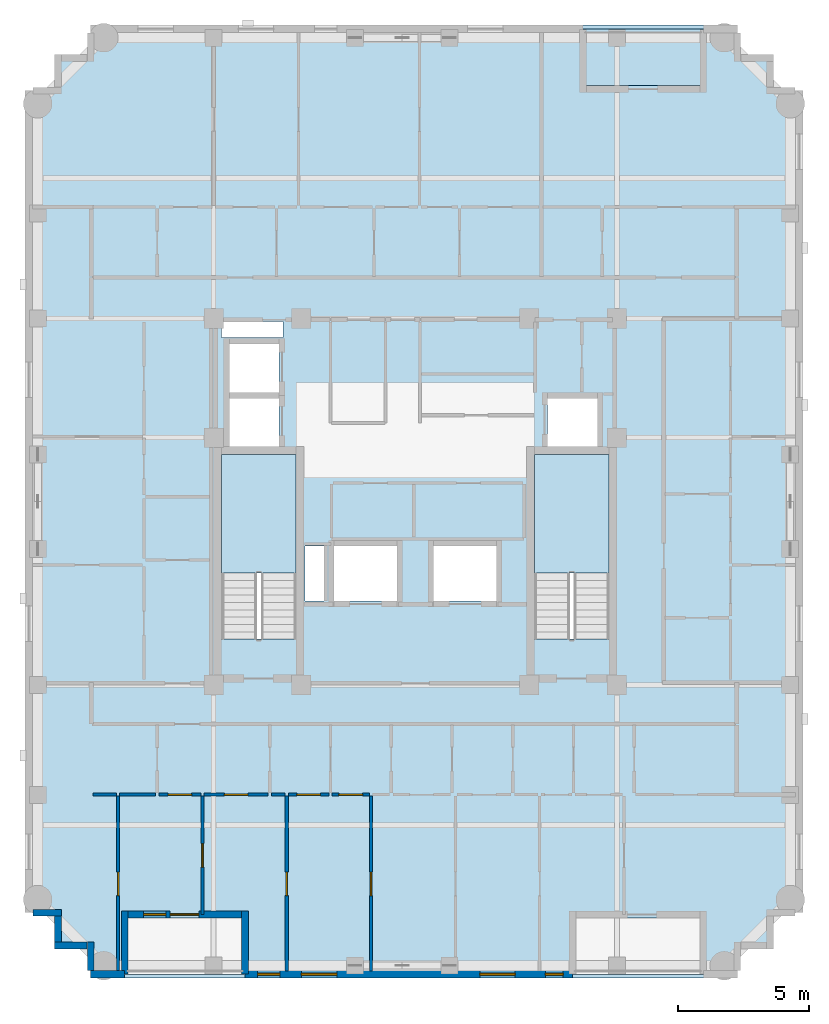
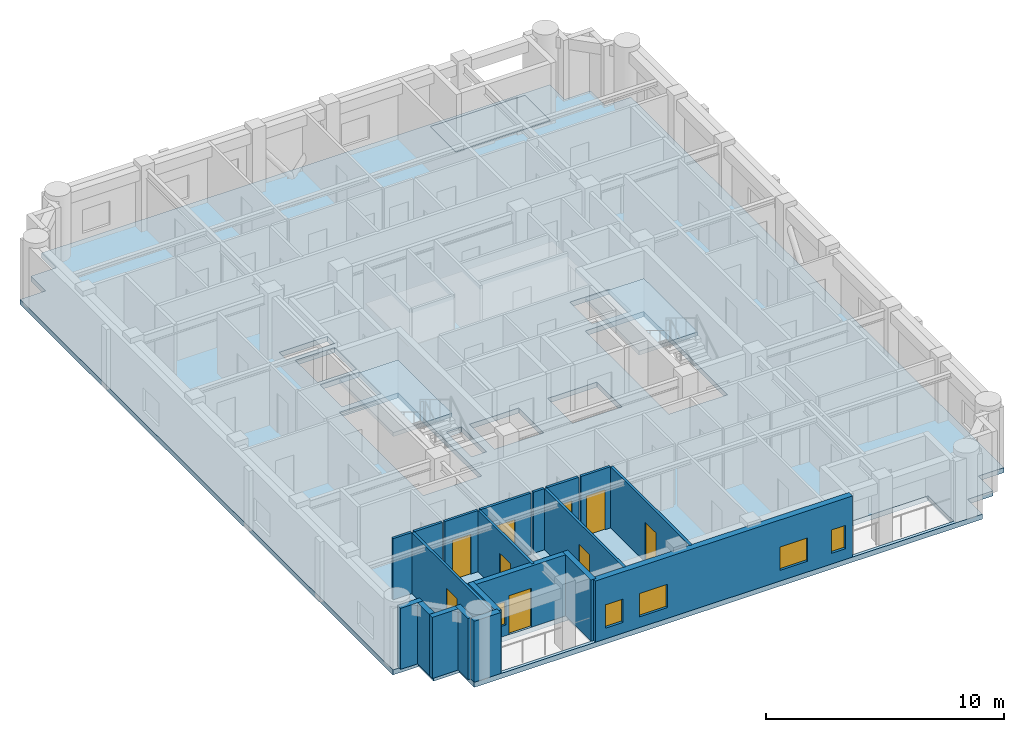
# One storey, part 2 of 11: 20 walls, 9 doors, 5 windows, 4 slabs, 14 openings, 2 elements without a shape of their own.
"""IFC4 building model written with IfcOpenShell, lengths in metres."""

from ifc_helpers import new_model, si_unit, derived_unit, direction, frame, frame_2d, origin, place, context, subcontext, project, spatial, polyline, rectangle, outline, extrude, material, layer, layer_set, type_object, element, fill, aggregate, save


model = new_model("IFC4")

# Units and contexts
model_context = context("Model", 3, precision=1e-05, world=origin(), true_north=direction((0.0, 1.0)))
body_context = subcontext(model_context, "Body", "Model", "MODEL_VIEW")
ifc_project = project(units=[si_unit("LENGTHUNIT", "METRE"), si_unit("AREAUNIT", "SQUARE_METRE"), si_unit("VOLUMEUNIT", "CUBIC_METRE"), si_unit("PLANEANGLEUNIT", "RADIAN"), si_unit("MASSUNIT", "GRAM", prefix="KILO"), derived_unit("THERMALTRANSMITTANCEUNIT", [(si_unit("MASSUNIT", "GRAM", prefix="KILO"), 1), (si_unit("TIMEUNIT", "SECOND"), -3), (si_unit("THERMODYNAMICTEMPERATUREUNIT", "KELVIN"), -1)])], contexts=[model_context])

# Site, building, storey
site_placement = place(None, origin())
site = spatial("IfcSite", under=ifc_project, at=site_placement, CompositionType="ELEMENT")
building_placement = place(site_placement, origin())
building = spatial("IfcBuilding", under=site, at=building_placement, Name="Korrvale Station Residences", CompositionType="ELEMENT")
storey_placement = place(building_placement, frame((0.0, 0.0, 230.89990234375)))
storey = spatial("IfcBuildingStorey", under=building, at=storey_placement, Name="L67", CompositionType="ELEMENT", Elevation=230.89990234375)

# Slabs
ifc_material_1 = material(Name="Concrete C50/60", Category="concrete")
ifc_layer_1 = layer(ifc_material_1, 0.219970703125, Name="Concrete C50/60")
ifc_layer_set_1 = layer_set([ifc_layer_1], Name="Concrete C50/60")
slab_type_1 = type_object("IfcSlabType", Name="SLB-BAL-220", PredefinedType="FLOOR", material=ifc_layer_set_1)
slab_1_placement = place(storey_placement, frame((0.0, 0.0, -0.219970703125)))
element("IfcSlab", 1, at=slab_1_placement, inside=storey, type_object=slab_type_1, Name="L67 Recessed Loggia Balcony Slab BAL-L67-N1", PredefinedType="FLOOR", context=body_context, shape_type="SweptSolid", body=[
    extrude(outline(polyline([(31.89990234375, 37.89990234375), (36.5, 37.89990234375), (36.5, 40.050048828125), (31.89990234375, 40.050048828125), (31.89990234375, 37.89990234375)])), origin(), (0.0, 0.0, 1.0), 0.219970703125),
])
ifc_layer_2 = layer(ifc_material_1, 0.260009765625, Name="Concrete C50/60")
ifc_layer_set_2 = layer_set([ifc_layer_2], Name="Concrete C50/60")
slab_type_2 = type_object("IfcSlabType", Name="SLB-FLR-260", PredefinedType="FLOOR", material=ifc_layer_set_2)
slab_2_placement = place(storey_placement, frame((0.0, 0.0, -0.260009765625)))
element("IfcSlab", 2, at=slab_2_placement, inside=storey, type_object=slab_type_2, Name="L67 Suspended Structural Floor Slab", PredefinedType="FLOOR", context=body_context, shape_type="SweptSolid", body=[
    extrude(outline(polyline([(13.10009765625, 3.800048828125), (37.800048828125, 3.800048828125), (37.800048828125, 5.050048828125), (39.050048828125, 5.050048828125), (39.050048828125, 6.300048828125), (40.300048828125, 6.300048828125), (40.300048828125, 37.699951171875), (39.050048828125, 37.699951171875), (39.050048828125, 38.949951171875), (37.800048828125, 38.949951171875), (37.800048828125, 40.199951171875), (13.10009765625, 40.199951171875), (13.10009765625, 38.949951171875), (11.85009765625, 38.949951171875), (11.85009765625, 37.699951171875), (10.60009765625, 37.699951171875), (10.60009765625, 6.300048828125), (11.85009765625, 6.300048828125), (11.85009765625, 5.050048828125), (13.10009765625, 5.050048828125), (13.10009765625, 3.800048828125)]), holes=[polyline([(20.949951171875, 16.751953125), (20.949951171875, 23.800048828125), (18.10009765625, 23.800048828125), (18.10009765625, 16.751953125), (20.949951171875, 16.751953125)]), polyline([(32.89990234375, 16.751953125), (32.89990234375, 23.800048828125), (30.050048828125, 23.800048828125), (30.050048828125, 16.751953125), (32.89990234375, 16.751953125)]), polyline([(18.39990234375, 24.10009765625), (20.300048828125, 24.10009765625), (20.300048828125, 25.949951171875), (18.39990234375, 25.949951171875), (18.39990234375, 24.10009765625)]), polyline([(18.39990234375, 26.169921875), (20.300048828125, 26.169921875), (20.300048828125, 28.02001953125), (18.39990234375, 28.02001953125), (18.39990234375, 26.169921875)]), polyline([(30.550048828125, 24.10009765625), (32.449951171875, 24.10009765625), (32.449951171875, 25.949951171875), (30.550048828125, 25.949951171875), (30.550048828125, 24.10009765625)]), polyline([(22.39990234375, 18.199951171875), (24.800048828125, 18.199951171875), (24.800048828125, 20.300048828125), (22.39990234375, 20.300048828125), (22.39990234375, 18.199951171875)]), polyline([(26.199951171875, 18.199951171875), (28.60009765625, 18.199951171875), (28.60009765625, 20.300048828125), (26.199951171875, 20.300048828125), (26.199951171875, 18.199951171875)]), polyline([(18.10009765625, 28.280029296875), (20.449951171875, 28.280029296875), (20.449951171875, 28.8798828125), (18.10009765625, 28.8798828125), (18.10009765625, 28.280029296875)]), polyline([(21.280029296875, 18.199951171875), (22.02001953125, 18.199951171875), (22.02001953125, 20.300048828125), (21.280029296875, 20.300048828125), (21.280029296875, 18.199951171875)]), polyline([(14.39990234375, 3.949951171875), (19.0, 3.949951171875), (19.0, 6.10009765625), (14.39990234375, 6.10009765625), (14.39990234375, 3.949951171875)]), polyline([(31.89990234375, 37.89990234375), (36.5, 37.89990234375), (36.5, 40.050048828125), (31.89990234375, 40.050048828125), (31.89990234375, 37.89990234375)]), polyline([(31.5, 3.949951171875), (36.5, 3.949951171875), (36.5, 6.10009765625), (31.5, 6.10009765625), (31.5, 3.949951171875)])]), origin(), (0.0, 0.0, 1.0), 0.260009765625),
])

# Stair, slab
stair_type = type_object("IfcStairType", Name="STR-DL-1350-20R-1700", PredefinedType="HALF_TURN_STAIR", material=ifc_material_1)
stair_1_placement = place(storey_placement, origin())
stair_1 = element("IfcStair", 3, at=stair_1_placement, inside=storey, type_object=stair_type, Name="L67 Exit Stair 1", PredefinedType="HALF_TURN_STAIR")
ifc_layer_3 = layer(ifc_material_1, 0.199951171875, Name="Concrete C50/60")
ifc_layer_set_3 = layer_set([ifc_layer_3], Name="Concrete C50/60")
slab_type_3 = type_object("IfcSlabType", Name="SLB-LND-200", PredefinedType="LANDING", material=ifc_layer_set_3)
slab_3_placement = place(storey_placement, frame((0.0, 0.0, 1.5)))
slab_3 = element("IfcSlab", 4, at=slab_3_placement, type_object=slab_type_3, Name="ST-1 landing 1", PredefinedType="LANDING", context=body_context, shape_type="SweptSolid", body=[
    extrude(outline(polyline([(20.949951171875, 19.27001953125), (20.949951171875, 23.800048828125), (18.10009765625, 23.800048828125), (18.10009765625, 19.27001953125), (20.949951171875, 19.27001953125)])), origin(), (0.0, 0.0, 1.0), 0.2001953125),
])
aggregate(stair_1, [slab_3])

stair_2_placement = place(storey_placement, origin())
stair_2 = element("IfcStair", 5, at=stair_2_placement, inside=storey, type_object=stair_type, Name="L67 Exit Stair 2", PredefinedType="HALF_TURN_STAIR")
slab_4_placement = place(storey_placement, frame((0.0, 0.0, 1.5)))
slab_4 = element("IfcSlab", 6, at=slab_4_placement, type_object=slab_type_3, Name="ST-2 landing 1", PredefinedType="LANDING", context=body_context, shape_type="SweptSolid", body=[
    extrude(outline(polyline([(32.89990234375, 19.27001953125), (32.89990234375, 23.800048828125), (30.050048828125, 23.800048828125), (30.050048828125, 19.27001953125), (32.89990234375, 19.27001953125)])), origin(), (0.0, 0.0, 1.0), 0.2001953125),
])
aggregate(stair_2, [slab_4])

# Wall
ifc_material_2 = material(Name="Precast concrete C45/55", Category="concrete")
ifc_layer_4 = layer(ifc_material_2, 0.260009765625, Name="Precast concrete C45/55")
ifc_layer_set_4 = layer_set([ifc_layer_4], Name="Precast concrete C45/55")
wall_type_1 = type_object("IfcWallType", Name="WAL-EXT-LOG260", PredefinedType="SOLIDWALL", material=ifc_layer_set_4)
wall_1_placement = place(storey_placement, frame((19.0, 3.9599609375, 0.0), z_axis=(0.0, 0.0, 1.0), x_axis=(0.0, 1.0, 0.0)))
element("IfcWall", 7, at=wall_1_placement, inside=storey, type_object=wall_type_1, Name="L67 Recessed Loggia Wall BAL-L67-S1-L", PredefinedType="SOLIDWALL", context=body_context, shape_type="SweptSolid", body=[
    extrude(rectangle(XDim=2.400146484375, YDim=0.260009765625, at=frame_2d((1.2001953125, 0.0))), origin(), (0.0, 0.0, 1.0), 3.14013671875),
])

# Wall, openings, door, window
wall_2_placement = place(storey_placement, frame((18.865966796875, 6.22998046875, 0.0), z_axis=(0.0, 0.0, 1.0), x_axis=(-1.0, 0.0, 0.0)))
wall_2 = element("IfcWall", 8, at=wall_2_placement, inside=storey, type_object=wall_type_1, Name="L67 Recessed Loggia Wall BAL-L67-S1-B", PredefinedType="SOLIDWALL", context=body_context, shape_type="SweptSolid", body=[
    extrude(rectangle(XDim=4.33203125, YDim=0.260009765625, at=frame_2d((2.166015625, 0.0))), origin(), (0.0, 0.0, 1.0), 3.14013671875),
])
opening_1_placement = place(wall_2_placement, frame((1.635986328125, 0.0, 0.0)))
opening_1 = element("IfcOpeningElement", 9, at=opening_1_placement, cuts=wall_2, Name="Opening BD-01", PredefinedType="OPENING", context=body_context, shape_type="SweptSolid", body=[
    extrude(rectangle(XDim=1.10009765625, YDim=2.0, at=frame_2d((0.550048828125, 1.0))), frame((0.0, 0.14013671875, 0.0), z_axis=(0.0, -1.0, 0.0), x_axis=(1.0, 0.0, 0.0)), (0.0, 0.0, 1.0), 0.280029296875),
])
opening_2_placement = place(wall_2_placement, frame((2.89599609375, 0.0, 0.550048828125)))
opening_2 = element("IfcOpeningElement", 10, at=opening_2_placement, cuts=wall_2, Name="Opening W-11", PredefinedType="OPENING", context=body_context, shape_type="SweptSolid", body=[
    extrude(rectangle(XDim=0.85009765625, YDim=1.199951171875, at=frame_2d((0.425048828125, 0.60009765625))), frame((0.0, 0.14013671875, 0.0), z_axis=(0.0, -1.0, 0.0), x_axis=(1.0, 0.0, 0.0)), (0.0, 0.0, 1.0), 0.280029296875),
])
ifc_material_3 = material(Name="Exterior thermally broken aluminium glazed balcony door", Category="aluminium")
door_type_1 = type_object("IfcDoorType", Name="DR-EXT-BAL", OperationType="NOTDEFINED", PredefinedType="DOOR", material=ifc_material_3)
door_1_placement = place(opening_1_placement, origin())
door_1 = element("IfcDoor", 11, at=door_1_placement, inside=storey, type_object=door_type_1, Name="L67 Loggia Balcony Door BAL-L67-S1", OperationType="SINGLE_SWING_RIGHT", OverallHeight=2.0, OverallWidth=1.10009765625, PredefinedType="DOOR", context=body_context, shape_type="SweptSolid", body=[
    extrude(rectangle(XDim=1.10009765625, YDim=2.0, at=frame_2d((0.550048828125, 1.0))), frame((0.0, 0.02490234375, 0.0), z_axis=(0.0, -1.0, 0.0), x_axis=(1.0, 0.0, 0.0)), (0.0, 0.0, 1.0), 0.050048828125),
])
fill(opening_1, door_1)
ifc_material_4 = material(Name="Thermally broken aluminium frame with triple low-e glazing", Category="aluminium")
window_type_1 = type_object("IfcWindowType", Name="WIN-W11", PartitioningType="SINGLE_PANEL", PredefinedType="WINDOW", material=ifc_material_4)
window_1_placement = place(opening_2_placement, origin())
window_1 = element("IfcWindow", 12, at=window_1_placement, inside=storey, type_object=window_type_1, Name="L67 Punched Window 02", OverallHeight=1.199951171875, OverallWidth=0.85009765625, PartitioningType="SINGLE_PANEL", PredefinedType="WINDOW", context=body_context, shape_type="SweptSolid", body=[
    extrude(rectangle(XDim=0.85009765625, YDim=1.199951171875, at=frame_2d((0.425048828125, 0.60009765625))), frame((0.0, 0.030029296875, 0.0), z_axis=(0.0, -1.0, 0.0), x_axis=(1.0, 0.0, 0.0)), (0.0, 0.0, 1.0), 0.06005859375),
])
fill(opening_2, window_1)

# Walls
wall_3_placement = place(storey_placement, frame((14.39990234375, 6.360107421875, 0.0), z_axis=(0.0, 0.0, 1.0), x_axis=(0.0, -1.0, 0.0)))
element("IfcWall", 13, at=wall_3_placement, inside=storey, type_object=wall_type_1, Name="L67 Recessed Loggia Wall BAL-L67-S1-R", PredefinedType="SOLIDWALL", context=body_context, shape_type="SweptSolid", body=[
    extrude(rectangle(XDim=2.400146484375, YDim=0.260009765625, at=frame_2d((1.2001953125, 0.0))), origin(), (0.0, 0.0, 1.0), 3.14013671875),
])
wall_4_placement = place(storey_placement, frame((13.10009765625, 4.10205078125, 0.0), z_axis=(0.0, 0.0, 1.0), x_axis=(0.0, 1.0, 0.0)))
element("IfcWall", 14, at=wall_4_placement, inside=storey, type_object=wall_type_1, Name="L67 Serrated Corner Precast Step SW-1", PredefinedType="SOLIDWALL", context=body_context, shape_type="SweptSolid", body=[
    extrude(rectangle(XDim=1.077880859375, YDim=0.260009765625, at=frame_2d((0.5390625, 0.0))), origin(), (0.0, 0.0, 1.0), 3.14013671875),
])
wall_5_placement = place(storey_placement, frame((12.968017578125, 5.050048828125, 0.0), z_axis=(0.0, 0.0, 1.0), x_axis=(-1.0, 0.0, 0.0)))
element("IfcWall", 15, at=wall_5_placement, inside=storey, type_object=wall_type_1, Name="L67 Serrated Corner Precast Step SW-2", PredefinedType="SOLIDWALL", context=body_context, shape_type="SweptSolid", body=[
    extrude(rectangle(XDim=1.248046875, YDim=0.260009765625, at=frame_2d((0.6240234375, 0.0))), origin(), (0.0, 0.0, 1.0), 3.14013671875),
])
wall_6_placement = place(storey_placement, frame((11.85009765625, 5.181884765625, 0.0), z_axis=(0.0, 0.0, 1.0), x_axis=(0.0, 1.0, 0.0)))
element("IfcWall", 16, at=wall_6_placement, inside=storey, type_object=wall_type_1, Name="L67 Serrated Corner Precast Step SW-3", PredefinedType="SOLIDWALL", context=body_context, shape_type="SweptSolid", body=[
    extrude(rectangle(XDim=0.986083984375, YDim=0.260009765625, at=frame_2d((0.4931640625, 0.0))), origin(), (0.0, 0.0, 1.0), 3.14013671875),
])
wall_7_placement = place(storey_placement, frame((11.97998046875, 6.300048828125, 0.0), z_axis=(0.0, 0.0, 1.0), x_axis=(-1.0, 0.0, 0.0)))
element("IfcWall", 17, at=wall_7_placement, inside=storey, type_object=wall_type_1, Name="L67 Serrated Corner Precast Step SW-4", PredefinedType="SOLIDWALL", context=body_context, shape_type="SweptSolid", body=[
    extrude(rectangle(XDim=1.077880859375, YDim=0.260009765625, at=frame_2d((0.5390625, 0.0))), origin(), (0.0, 0.0, 1.0), 3.14013671875),
])

# Wall, openings, windows
ifc_layer_5 = layer(ifc_material_2, 0.300048828125, Name="Precast concrete C45/55")
ifc_layer_set_5 = layer_set([ifc_layer_5], Name="Precast concrete C45/55")
wall_type_2 = type_object("IfcWallType", Name="WAL-EXT-PC300", PredefinedType="SOLIDWALL", material=ifc_layer_set_5)
wall_8_placement = place(storey_placement, frame((31.5, 3.949951171875, 0.0), z_axis=(0.0, 0.0, 1.0), x_axis=(-1.0, 0.0, 0.0)))
wall_8 = element("IfcWall", 18, at=wall_8_placement, inside=storey, type_object=wall_type_2, Name="L67 South Exterior Precast Wall 2", PredefinedType="SOLIDWALL", context=body_context, shape_type="SweptSolid", body=[
    extrude(rectangle(XDim=12.5, YDim=0.300048828125, at=frame_2d((6.25, 0.0))), origin(), (0.0, 0.0, 1.0), 3.14013671875),
])
opening_3_placement = place(wall_8_placement, frame((11.1708984375, 0.0, 0.550048828125)))
opening_3 = element("IfcOpeningElement", 19, at=opening_3_placement, cuts=wall_8, Name="Opening W-11", PredefinedType="OPENING", context=body_context, shape_type="SweptSolid", body=[
    extrude(rectangle(XDim=0.85009765625, YDim=1.199951171875, at=frame_2d((0.425048828125, 0.60009765625))), frame((0.0, 0.16015625, 0.0), z_axis=(0.0, -1.0, 0.0), x_axis=(1.0, 0.0, 0.0)), (0.0, 0.0, 1.0), 0.320068359375),
])
opening_4_placement = place(wall_8_placement, frame((9.0, 0.0, 0.550048828125)))
opening_4 = element("IfcOpeningElement", 20, at=opening_4_placement, cuts=wall_8, Name="Opening W-10", PredefinedType="OPENING", context=body_context, shape_type="SweptSolid", body=[
    extrude(rectangle(XDim=1.35009765625, YDim=1.199951171875, at=frame_2d((0.675048828125, 0.60009765625))), frame((0.0, 0.16015625, 0.0), z_axis=(0.0, -1.0, 0.0), x_axis=(1.0, 0.0, 0.0)), (0.0, 0.0, 1.0), 0.320068359375),
])
opening_5_placement = place(wall_8_placement, frame((2.18603515625, 0.0, 0.550048828125)))
opening_5 = element("IfcOpeningElement", 21, at=opening_5_placement, cuts=wall_8, Name="Opening W-10", PredefinedType="OPENING", context=body_context, shape_type="SweptSolid", body=[
    extrude(rectangle(XDim=1.35009765625, YDim=1.199951171875, at=frame_2d((0.675048828125, 0.60009765625))), frame((0.0, 0.16015625, 0.0), z_axis=(0.0, -1.0, 0.0), x_axis=(1.0, 0.0, 0.0)), (0.0, 0.0, 1.0), 0.320068359375),
])
opening_6_placement = place(wall_8_placement, frame((0.35009765625, 0.0, 0.550048828125)))
opening_6 = element("IfcOpeningElement", 22, at=opening_6_placement, cuts=wall_8, Name="Opening W-12", PredefinedType="OPENING", context=body_context, shape_type="SweptSolid", body=[
    extrude(rectangle(XDim=0.679931640625, YDim=1.199951171875, at=frame_2d((0.33984375, 0.60009765625))), frame((0.0, 0.16015625, 0.0), z_axis=(0.0, -1.0, 0.0), x_axis=(1.0, 0.0, 0.0)), (0.0, 0.0, 1.0), 0.320068359375),
])
window_type_2 = type_object("IfcWindowType", Name="WIN-W10", PartitioningType="SINGLE_PANEL", PredefinedType="WINDOW", material=ifc_material_4)
window_2_placement = place(opening_4_placement, origin())
window_2 = element("IfcWindow", 23, at=window_2_placement, inside=storey, type_object=window_type_2, Name="L67 Punched Window 04", OverallHeight=1.199951171875, OverallWidth=1.35009765625, PartitioningType="SINGLE_PANEL", PredefinedType="WINDOW", context=body_context, shape_type="SweptSolid", body=[
    extrude(rectangle(XDim=1.35009765625, YDim=1.199951171875, at=frame_2d((0.675048828125, 0.60009765625))), frame((0.0, 0.030029296875, 0.0), z_axis=(0.0, -1.0, 0.0), x_axis=(1.0, 0.0, 0.0)), (0.0, 0.0, 1.0), 0.06005859375),
])
fill(opening_4, window_2)
window_3_placement = place(opening_5_placement, origin())
window_3 = element("IfcWindow", 24, at=window_3_placement, inside=storey, type_object=window_type_2, Name="L67 Punched Window 05", OverallHeight=1.199951171875, OverallWidth=1.35009765625, PartitioningType="SINGLE_PANEL", PredefinedType="WINDOW", context=body_context, shape_type="SweptSolid", body=[
    extrude(rectangle(XDim=1.35009765625, YDim=1.199951171875, at=frame_2d((0.675048828125, 0.60009765625))), frame((0.0, 0.030029296875, 0.0), z_axis=(0.0, -1.0, 0.0), x_axis=(1.0, 0.0, 0.0)), (0.0, 0.0, 1.0), 0.06005859375),
])
fill(opening_5, window_3)
window_4_placement = place(opening_3_placement, origin())
window_4 = element("IfcWindow", 25, at=window_4_placement, inside=storey, type_object=window_type_1, Name="L67 Punched Window 03", OverallHeight=1.199951171875, OverallWidth=0.85009765625, PartitioningType="SINGLE_PANEL", PredefinedType="WINDOW", context=body_context, shape_type="SweptSolid", body=[
    extrude(rectangle(XDim=0.85009765625, YDim=1.199951171875, at=frame_2d((0.425048828125, 0.60009765625))), frame((0.0, 0.030029296875, 0.0), z_axis=(0.0, -1.0, 0.0), x_axis=(1.0, 0.0, 0.0)), (0.0, 0.0, 1.0), 0.06005859375),
])
fill(opening_3, window_4)
window_type_3 = type_object("IfcWindowType", Name="WIN-W12", PartitioningType="SINGLE_PANEL", PredefinedType="WINDOW", material=ifc_material_4)
window_5_placement = place(opening_6_placement, origin())
window_5 = element("IfcWindow", 26, at=window_5_placement, inside=storey, type_object=window_type_3, Name="L67 Punched Window 06", OverallHeight=1.199951171875, OverallWidth=0.679931640625, PartitioningType="SINGLE_PANEL", PredefinedType="WINDOW", context=body_context, shape_type="SweptSolid", body=[
    extrude(rectangle(XDim=0.679931640625, YDim=1.199951171875, at=frame_2d((0.33984375, 0.60009765625))), frame((0.0, 0.030029296875, 0.0), z_axis=(0.0, -1.0, 0.0), x_axis=(1.0, 0.0, 0.0)), (0.0, 0.0, 1.0), 0.06005859375),
])
fill(opening_6, window_5)

# Walls
wall_9_placement = place(storey_placement, frame((14.39990234375, 3.949951171875, 0.0), z_axis=(0.0, 0.0, 1.0), x_axis=(-1.0, 0.0, 0.0)))
element("IfcWall", 27, at=wall_9_placement, inside=storey, type_object=wall_type_2, Name="L67 South Exterior Precast Wall 3", PredefinedType="SOLIDWALL", context=body_context, shape_type="SweptSolid", body=[
    extrude(rectangle(XDim=1.2998046875, YDim=0.300048828125, at=frame_2d((0.64990234375, 0.0))), origin(), (0.0, 0.0, 1.0), 3.14013671875),
])
ifc_material_5 = material(Name="Acoustic steel-stud gypsum board partition", Category="steel")
ifc_layer_6 = layer(ifc_material_5, 0.1201171875, Name="Acoustic steel-stud gypsum board partition")
ifc_layer_set_6 = layer_set([ifc_layer_6], Name="Acoustic steel-stud gypsum board partition")
wall_type_3 = type_object("IfcWallType", Name="WAL-PART-125", PredefinedType="PARTITIONING", material=ifc_layer_set_6)
wall_10_placement = place(storey_placement, frame((13.179931640625, 10.81005859375, 0.0), z_axis=(0.0, 0.0, 1.0), x_axis=(1.0, 0.0, 0.0)))
element("IfcWall", 28, at=wall_10_placement, inside=storey, type_object=wall_type_3, Name="L67 Suite Partition U01-H09", PredefinedType="PARTITIONING", context=body_context, shape_type="SweptSolid", body=[
    extrude(rectangle(XDim=0.91015625, YDim=0.1201171875, at=frame_2d((0.455078125, 0.0))), origin(), (0.0, 0.0, 1.0), 3.14013671875),
])
wall_11_placement = place(storey_placement, frame((14.2099609375, 10.81005859375, 0.0), z_axis=(0.0, 0.0, 1.0), x_axis=(1.0, 0.0, 0.0)))
element("IfcWall", 29, at=wall_11_placement, inside=storey, type_object=wall_type_3, Name="L67 Suite Partition U01-H010", PredefinedType="PARTITIONING", context=body_context, shape_type="SweptSolid", body=[
    extrude(rectangle(XDim=1.3701171875, YDim=0.1201171875, at=frame_2d((0.68505859375, 0.0))), origin(), (0.0, 0.0, 1.0), 3.14013671875),
])

# Wall, opening, door
wall_12_placement = place(storey_placement, frame((15.699951171875, 10.81005859375, 0.0), z_axis=(0.0, 0.0, 1.0), x_axis=(1.0, 0.0, 0.0)))
wall_12 = element("IfcWall", 30, at=wall_12_placement, inside=storey, type_object=wall_type_3, Name="L67 Suite Partition U01-H110", PredefinedType="PARTITIONING", context=body_context, shape_type="SweptSolid", body=[
    extrude(rectangle(XDim=1.610107421875, YDim=0.1201171875, at=frame_2d((0.80517578125, 0.0))), origin(), (0.0, 0.0, 1.0), 3.14013671875),
])
opening_7_placement = place(wall_12_placement, frame((0.35498046875, 0.0, 0.0)))
opening_7 = element("IfcOpeningElement", 31, at=opening_7_placement, cuts=wall_12, Name="Opening DI-900", PredefinedType="OPENING", context=body_context, shape_type="SweptSolid", body=[
    extrude(rectangle(XDim=0.89990234375, YDim=2.050048828125, at=frame_2d((0.449951171875, 1.02490234375))), frame((0.0, 0.070068359375, 0.0), z_axis=(0.0, -1.0, 0.0), x_axis=(1.0, 0.0, 0.0)), (0.0, 0.0, 1.0), 0.14013671875),
])
ifc_material_6 = material(Name="Painted solid-core timber interior room door", Category="wood")
door_type_2 = type_object("IfcDoorType", Name="DR-INT-900", OperationType="NOTDEFINED", PredefinedType="DOOR", material=ifc_material_6)
door_2_placement = place(opening_7_placement, origin())
door_2 = element("IfcDoor", 32, at=door_2_placement, inside=storey, type_object=door_type_2, Name="L67 Studio Apartment L67-U01 Kitchen Door", OperationType="SINGLE_SWING_RIGHT", OverallHeight=2.050048828125, OverallWidth=0.89990234375, PredefinedType="DOOR", context=body_context, shape_type="SweptSolid", body=[
    extrude(rectangle(XDim=0.89990234375, YDim=2.050048828125, at=frame_2d((0.449951171875, 1.02490234375))), frame((0.0, 0.02490234375, 0.0), z_axis=(0.0, -1.0, 0.0), x_axis=(1.0, 0.0, 0.0)), (0.0, 0.0, 1.0), 0.050048828125),
])
fill(opening_7, door_2)

wall_13_placement = place(storey_placement, frame((17.429931640625, 10.81005859375, 0.0), z_axis=(0.0, 0.0, 1.0), x_axis=(1.0, 0.0, 0.0)))
wall_13 = element("IfcWall", 33, at=wall_13_placement, inside=storey, type_object=wall_type_3, Name="L67 Suite Partition U01-H111", PredefinedType="PARTITIONING", context=body_context, shape_type="SweptSolid", body=[
    extrude(rectangle(XDim=2.449951171875, YDim=0.1201171875, at=frame_2d((1.22509765625, 0.0))), origin(), (0.0, 0.0, 1.0), 3.14013671875),
])
opening_8_placement = place(wall_13_placement, frame((0.77490234375, 0.0, 0.0)))
opening_8 = element("IfcOpeningElement", 34, at=opening_8_placement, cuts=wall_13, Name="Opening DI-900", PredefinedType="OPENING", context=body_context, shape_type="SweptSolid", body=[
    extrude(rectangle(XDim=0.89990234375, YDim=2.050048828125, at=frame_2d((0.449951171875, 1.02490234375))), frame((0.0, 0.070068359375, 0.0), z_axis=(0.0, -1.0, 0.0), x_axis=(1.0, 0.0, 0.0)), (0.0, 0.0, 1.0), 0.14013671875),
])
door_3_placement = place(opening_8_placement, origin())
door_3 = element("IfcDoor", 35, at=door_3_placement, inside=storey, type_object=door_type_2, Name="L67 Studio Apartment L67-U01 Kitchen Door", OperationType="SINGLE_SWING_LEFT", OverallHeight=2.050048828125, OverallWidth=0.89990234375, PredefinedType="DOOR", context=body_context, shape_type="SweptSolid", body=[
    extrude(rectangle(XDim=0.89990234375, YDim=2.050048828125, at=frame_2d((0.449951171875, 1.02490234375))), frame((0.0, 0.02490234375, 0.0), z_axis=(0.0, -1.0, 0.0), x_axis=(1.0, 0.0, 0.0)), (0.0, 0.0, 1.0), 0.050048828125),
])
fill(opening_8, door_3)

# Wall
wall_14_placement = place(storey_placement, frame((20.0, 10.81005859375, 0.0), z_axis=(0.0, 0.0, 1.0), x_axis=(1.0, 0.0, 0.0)))
element("IfcWall", 36, at=wall_14_placement, inside=storey, type_object=wall_type_3, Name="L67 Suite Partition U01-H211", PredefinedType="PARTITIONING", context=body_context, shape_type="SweptSolid", body=[
    extrude(rectangle(XDim=0.530029296875, YDim=0.1201171875, at=frame_2d((0.26513671875, 0.0))), origin(), (0.0, 0.0, 1.0), 3.14013671875),
])

# Wall, opening, door
wall_15_placement = place(storey_placement, frame((20.64990234375, 10.81005859375, 0.0), z_axis=(0.0, 0.0, 1.0), x_axis=(1.0, 0.0, 0.0)))
wall_15 = element("IfcWall", 37, at=wall_15_placement, inside=storey, type_object=wall_type_3, Name="L67 Suite Partition U01-H212", PredefinedType="PARTITIONING", context=body_context, shape_type="SweptSolid", body=[
    extrude(rectangle(XDim=1.550048828125, YDim=0.1201171875, at=frame_2d((0.77490234375, 0.0))), origin(), (0.0, 0.0, 1.0), 3.14013671875),
])
opening_9_placement = place(wall_15_placement, frame((0.324951171875, 0.0, 0.0)))
opening_9 = element("IfcOpeningElement", 38, at=opening_9_placement, cuts=wall_15, Name="Opening DI-900", PredefinedType="OPENING", context=body_context, shape_type="SweptSolid", body=[
    extrude(rectangle(XDim=0.89990234375, YDim=2.050048828125, at=frame_2d((0.449951171875, 1.02490234375))), frame((0.0, 0.070068359375, 0.0), z_axis=(0.0, -1.0, 0.0), x_axis=(1.0, 0.0, 0.0)), (0.0, 0.0, 1.0), 0.14013671875),
])
door_4_placement = place(opening_9_placement, origin())
door_4 = element("IfcDoor", 39, at=door_4_placement, inside=storey, type_object=door_type_2, Name="L67 Studio Apartment L67-U01 Wardrobe Storage Room Door", OperationType="SINGLE_SWING_LEFT", OverallHeight=2.050048828125, OverallWidth=0.89990234375, PredefinedType="DOOR", context=body_context, shape_type="SweptSolid", body=[
    extrude(rectangle(XDim=0.89990234375, YDim=2.050048828125, at=frame_2d((0.449951171875, 1.02490234375))), frame((0.0, 0.02490234375, 0.0), z_axis=(0.0, -1.0, 0.0), x_axis=(1.0, 0.0, 0.0)), (0.0, 0.0, 1.0), 0.050048828125),
])
fill(opening_9, door_4)

wall_16_placement = place(storey_placement, frame((22.320068359375, 10.81005859375, 0.0), z_axis=(0.0, 0.0, 1.0), x_axis=(1.0, 0.0, 0.0)))
wall_16 = element("IfcWall", 40, at=wall_16_placement, inside=storey, type_object=wall_type_3, Name="L67 Suite Partition U01-H312", PredefinedType="PARTITIONING", context=body_context, shape_type="SweptSolid", body=[
    extrude(rectangle(XDim=1.429931640625, YDim=0.1201171875, at=frame_2d((0.71484375, 0.0))), origin(), (0.0, 0.0, 1.0), 3.14013671875),
])
opening_10_placement = place(wall_16_placement, frame((0.264892578125, 0.0, 0.0)))
opening_10 = element("IfcOpeningElement", 41, at=opening_10_placement, cuts=wall_16, Name="Opening DI-900", PredefinedType="OPENING", context=body_context, shape_type="SweptSolid", body=[
    extrude(rectangle(XDim=0.89990234375, YDim=2.050048828125, at=frame_2d((0.449951171875, 1.02490234375))), frame((0.0, 0.070068359375, 0.0), z_axis=(0.0, -1.0, 0.0), x_axis=(1.0, 0.0, 0.0)), (0.0, 0.0, 1.0), 0.14013671875),
])
door_5_placement = place(opening_10_placement, origin())
door_5 = element("IfcDoor", 42, at=door_5_placement, inside=storey, type_object=door_type_2, Name="L67 Studio Apartment L67-U01 Wardrobe Storage Room Door", OperationType="SINGLE_SWING_LEFT", OverallHeight=2.050048828125, OverallWidth=0.89990234375, PredefinedType="DOOR", context=body_context, shape_type="SweptSolid", body=[
    extrude(rectangle(XDim=0.89990234375, YDim=2.050048828125, at=frame_2d((0.449951171875, 1.02490234375))), frame((0.0, 0.02490234375, 0.0), z_axis=(0.0, -1.0, 0.0), x_axis=(1.0, 0.0, 0.0)), (0.0, 0.0, 1.0), 0.050048828125),
])
fill(opening_10, door_5)

wall_17_placement = place(storey_placement, frame((14.14990234375, 4.080078125, 0.0), z_axis=(0.0, 0.0, 1.0), x_axis=(0.0, 1.0, 0.0)))
wall_17 = element("IfcWall", 43, at=wall_17_placement, inside=storey, type_object=wall_type_3, Name="L67 Suite Partition U01-V910", PredefinedType="PARTITIONING", context=body_context, shape_type="SweptSolid", body=[
    extrude(rectangle(XDim=6.669921875, YDim=0.1201171875, at=frame_2d((3.3349609375, 0.0))), origin(), (0.0, 0.0, 1.0), 3.14013671875),
])
opening_11_placement = place(wall_17_placement, frame((2.8701171875, 0.0, 0.0)))
opening_11 = element("IfcOpeningElement", 44, at=opening_11_placement, cuts=wall_17, Name="Opening DI-900", PredefinedType="OPENING", context=body_context, shape_type="SweptSolid", body=[
    extrude(rectangle(XDim=0.89990234375, YDim=2.050048828125, at=frame_2d((0.449951171875, 1.02490234375))), frame((0.0, 0.070068359375, 0.0), z_axis=(0.0, -1.0, 0.0), x_axis=(1.0, 0.0, 0.0)), (0.0, 0.0, 1.0), 0.14013671875),
])
door_6_placement = place(opening_11_placement, origin())
door_6 = element("IfcDoor", 45, at=door_6_placement, inside=storey, type_object=door_type_2, Name="L67 Studio Apartment L67-U01 Walk-In Wardrobe Door", OperationType="SINGLE_SWING_LEFT", OverallHeight=2.050048828125, OverallWidth=0.89990234375, PredefinedType="DOOR", context=body_context, shape_type="SweptSolid", body=[
    extrude(rectangle(XDim=0.89990234375, YDim=2.050048828125, at=frame_2d((0.449951171875, 1.02490234375))), frame((0.0, 0.02490234375, 0.0), z_axis=(0.0, -1.0, 0.0), x_axis=(1.0, 0.0, 0.0)), (0.0, 0.0, 1.0), 0.050048828125),
])
fill(opening_11, door_6)

wall_18_placement = place(storey_placement, frame((17.3701171875, 6.22998046875, 0.0), z_axis=(0.0, 0.0, 1.0), x_axis=(0.0, 1.0, 0.0)))
wall_18 = element("IfcWall", 46, at=wall_18_placement, inside=storey, type_object=wall_type_3, Name="L67 Suite Partition U01-V1011", PredefinedType="PARTITIONING", context=body_context, shape_type="SweptSolid", body=[
    extrude(rectangle(XDim=4.52001953125, YDim=0.1201171875, at=frame_2d((2.260009765625, 0.0))), origin(), (0.0, 0.0, 1.0), 3.14013671875),
])
opening_12_placement = place(wall_18_placement, frame((1.81005859375, 0.0, 0.0)))
opening_12 = element("IfcOpeningElement", 47, at=opening_12_placement, cuts=wall_18, Name="Opening DI-900", PredefinedType="OPENING", context=body_context, shape_type="SweptSolid", body=[
    extrude(rectangle(XDim=0.89990234375, YDim=2.050048828125, at=frame_2d((0.449951171875, 1.02490234375))), frame((0.0, 0.070068359375, 0.0), z_axis=(0.0, -1.0, 0.0), x_axis=(1.0, 0.0, 0.0)), (0.0, 0.0, 1.0), 0.14013671875),
])
door_7_placement = place(opening_12_placement, origin())
door_7 = element("IfcDoor", 48, at=door_7_placement, inside=storey, type_object=door_type_2, Name="L67 Studio Apartment L67-U01 Formal Dining Room Door", OperationType="SINGLE_SWING_RIGHT", OverallHeight=2.050048828125, OverallWidth=0.89990234375, PredefinedType="DOOR", context=body_context, shape_type="SweptSolid", body=[
    extrude(rectangle(XDim=0.89990234375, YDim=2.050048828125, at=frame_2d((0.449951171875, 1.02490234375))), frame((0.0, 0.02490234375, 0.0), z_axis=(0.0, -1.0, 0.0), x_axis=(1.0, 0.0, 0.0)), (0.0, 0.0, 1.0), 0.050048828125),
])
fill(opening_12, door_7)

wall_19_placement = place(storey_placement, frame((20.590087890625, 4.080078125, 0.0), z_axis=(0.0, 0.0, 1.0), x_axis=(0.0, 1.0, 0.0)))
wall_19 = element("IfcWall", 49, at=wall_19_placement, inside=storey, type_object=wall_type_3, Name="L67 Suite Partition U01-V1112", PredefinedType="PARTITIONING", context=body_context, shape_type="SweptSolid", body=[
    extrude(rectangle(XDim=6.669921875, YDim=0.1201171875, at=frame_2d((3.3349609375, 0.0))), origin(), (0.0, 0.0, 1.0), 3.14013671875),
])
opening_13_placement = place(wall_19_placement, frame((2.8701171875, 0.0, 0.0)))
opening_13 = element("IfcOpeningElement", 50, at=opening_13_placement, cuts=wall_19, Name="Opening DI-900", PredefinedType="OPENING", context=body_context, shape_type="SweptSolid", body=[
    extrude(rectangle(XDim=0.89990234375, YDim=2.050048828125, at=frame_2d((0.449951171875, 1.02490234375))), frame((0.0, 0.070068359375, 0.0), z_axis=(0.0, -1.0, 0.0), x_axis=(1.0, 0.0, 0.0)), (0.0, 0.0, 1.0), 0.14013671875),
])
door_8_placement = place(opening_13_placement, origin())
door_8 = element("IfcDoor", 51, at=door_8_placement, inside=storey, type_object=door_type_2, Name="L67 Studio Apartment L67-U01 Formal Dining Room Door", OperationType="SINGLE_SWING_LEFT", OverallHeight=2.050048828125, OverallWidth=0.89990234375, PredefinedType="DOOR", context=body_context, shape_type="SweptSolid", body=[
    extrude(rectangle(XDim=0.89990234375, YDim=2.050048828125, at=frame_2d((0.449951171875, 1.02490234375))), frame((0.0, 0.02490234375, 0.0), z_axis=(0.0, -1.0, 0.0), x_axis=(1.0, 0.0, 0.0)), (0.0, 0.0, 1.0), 0.050048828125),
])
fill(opening_13, door_8)

wall_20_placement = place(storey_placement, frame((23.81005859375, 4.080078125, 0.0), z_axis=(0.0, 0.0, 1.0), x_axis=(0.0, 1.0, 0.0)))
wall_20 = element("IfcWall", 52, at=wall_20_placement, inside=storey, type_object=wall_type_3, Name="L67 Suite Partition U01-V1213", PredefinedType="PARTITIONING", context=body_context, shape_type="SweptSolid", body=[
    extrude(rectangle(XDim=6.669921875, YDim=0.1201171875, at=frame_2d((3.3349609375, 0.0))), origin(), (0.0, 0.0, 1.0), 3.14013671875),
])
opening_14_placement = place(wall_20_placement, frame((2.8701171875, 0.0, 0.0)))
opening_14 = element("IfcOpeningElement", 53, at=opening_14_placement, cuts=wall_20, Name="Opening DI-900", PredefinedType="OPENING", context=body_context, shape_type="SweptSolid", body=[
    extrude(rectangle(XDim=0.89990234375, YDim=2.050048828125, at=frame_2d((0.449951171875, 1.02490234375))), frame((0.0, 0.070068359375, 0.0), z_axis=(0.0, -1.0, 0.0), x_axis=(1.0, 0.0, 0.0)), (0.0, 0.0, 1.0), 0.14013671875),
])
door_9_placement = place(opening_14_placement, origin())
door_9 = element("IfcDoor", 54, at=door_9_placement, inside=storey, type_object=door_type_2, Name="L67 Studio Apartment L67-U01 Formal Dining Room Door", OperationType="SINGLE_SWING_RIGHT", OverallHeight=2.050048828125, OverallWidth=0.89990234375, PredefinedType="DOOR", context=body_context, shape_type="SweptSolid", body=[
    extrude(rectangle(XDim=0.89990234375, YDim=2.050048828125, at=frame_2d((0.449951171875, 1.02490234375))), frame((0.0, 0.02490234375, 0.0), z_axis=(0.0, -1.0, 0.0), x_axis=(1.0, 0.0, 0.0)), (0.0, 0.0, 1.0), 0.050048828125),
])
fill(opening_14, door_9)

save(model, "model.ifc")
